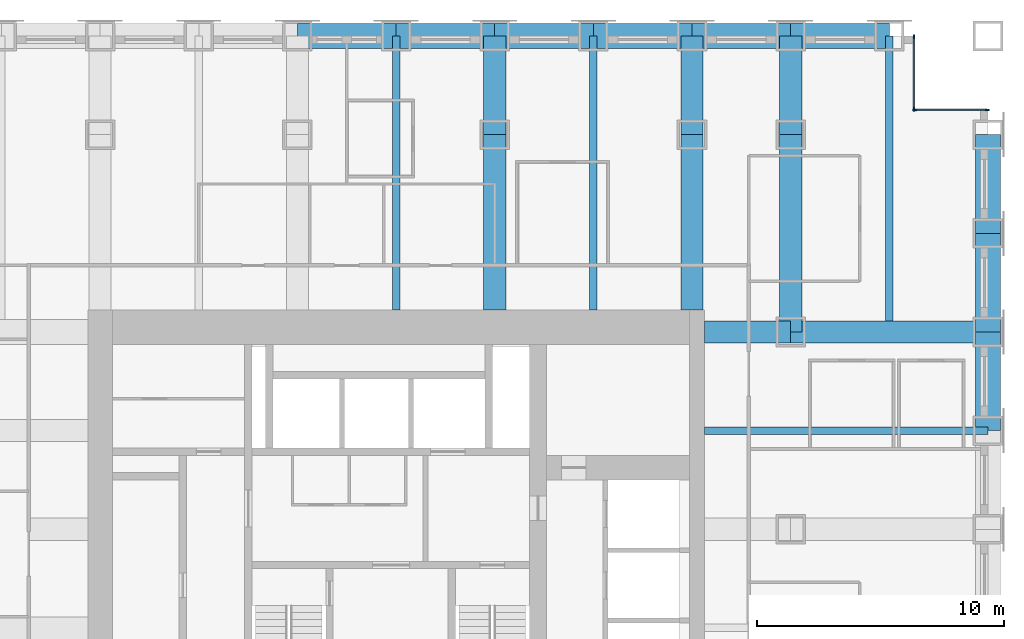
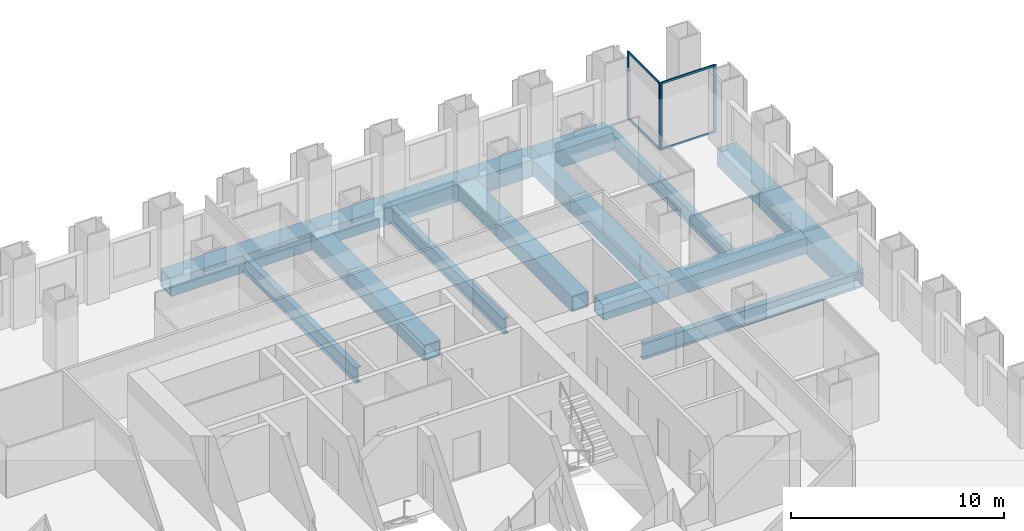
# One storey, part 6 of 14: 21 beams, 8 members, 2 elements without a shape of their own.
"""IFC4 building model written with IfcOpenShell, lengths in metres."""

from ifc_helpers import new_model, si_unit, direction, frame, origin, origin_2d, place, context, subcontext, project, spatial, rectangle, hollow_rectangle, i_section, extrude, material, material_profile, profile_set, type_object, element, aggregate, save


model = new_model("IFC4")

# Units and contexts
model_context = context("Model", 3, precision=1e-05, world=origin(), true_north=direction((0.0, 1.0)))
body_context = subcontext(model_context, "Body", "Model", "MODEL_VIEW")
ifc_project = project(units=[si_unit("LENGTHUNIT", "METRE"), si_unit("AREAUNIT", "SQUARE_METRE"), si_unit("VOLUMEUNIT", "CUBIC_METRE"), si_unit("PLANEANGLEUNIT", "RADIAN"), si_unit("MASSUNIT", "GRAM", prefix="KILO")], contexts=[model_context])

# Site, building, storey
site_placement = place(None, origin())
site = spatial("IfcSite", under=ifc_project, at=site_placement, CompositionType="ELEMENT")
building_placement = place(site_placement, origin())
building = spatial("IfcBuilding", under=site, at=building_placement, Name="Rimbunsela Tower", CompositionType="ELEMENT")
storey_placement = place(building_placement, frame((0.0, 0.0, 55.0)))
storey = spatial("IfcBuildingStorey", under=building, at=storey_placement, Name="L13", CompositionType="ELEMENT", Elevation=55.0)

# Beams
ifc_material_1 = material(Name="Steel BJ 55 (fy 410 MPa)", Category="steel")
ifc_material_profile_1 = material_profile(ifc_material_1, hollow_rectangle(XDim=1.0, YDim=1.0, WallThickness=0.10009765625, at=origin_2d()), Name="BOX 1000x1000x100")
ifc_profile_set_1 = profile_set([ifc_material_profile_1], Name="Steel BJ 55 (fy 410 MPa)")
beam_type_1 = type_object("IfcBeamType", Name="Beam BOX 1000x1000x100", PredefinedType="BEAM", material=ifc_profile_set_1)
for number, where, z_axis, x_axis, name in (
    (1, (26.0, 48.0, -0.64990234375), (1.0, 0.0, 0.0), (0.0, 1.0, 0.0), "Beam B3 L13"),
    (2, (30.0, 48.0, -0.64990234375), (1.0, 0.0, 0.0), (0.0, 1.0, 0.0), "Beam B3 L13"),
    (3, (34.0, 48.0, -0.64990234375), (1.0, 0.0, 0.0), (0.0, 1.0, 0.0), "Beam B3 L13"),
    (4, (38.0, 48.0, -0.64990234375), (1.0, 0.0, 0.0), (0.0, 1.0, 0.0), "Beam B3 L13"),
    (5, (42.0, 48.0, -0.64990234375), (1.0, 0.0, 0.0), (0.0, 1.0, 0.0), "Beam B3 L13"),
    (6, (46.0, 48.0, -0.64990234375), (1.0, 0.0, 0.0), (0.0, 1.0, 0.0), "Beam B3 L13"),
    (7, (54.0, 32.0, -0.64990234375), (0.0, 1.0, 0.0), (-1.0, 0.0, 0.0), "Beam B3 L13"),
    (8, (54.0, 36.0, -0.64990234375), (0.0, 1.0, 0.0), (-1.0, 0.0, 0.0), "Beam B3 L13"),
    (9, (54.0, 40.0, -0.64990234375), (0.0, 1.0, 0.0), (-1.0, 0.0, 0.0), "Beam B3 L13"),
):
    element("IfcBeam", number, at=place(storey_placement, frame(where, z_axis=z_axis, x_axis=x_axis)), inside=storey, type_object=beam_type_1, Name=name, PredefinedType="BEAM", context=body_context, shape_type="SweptSolid", body=[
        extrude(hollow_rectangle(XDim=1.0, YDim=1.0, WallThickness=0.10009765625, at=origin_2d()), origin(), (0.0, 0.0, 1.0), 4.0),
    ])
ifc_material_2 = material(Name="Steel BJ 55 (fy 410 MPa)", Category="steel")
ifc_material_profile_2 = material_profile(ifc_material_2, hollow_rectangle(XDim=0.89990234375, YDim=0.89990234375, WallThickness=0.06005859375, at=origin_2d()), Name="BOX 900x900x60")
ifc_profile_set_2 = profile_set([ifc_material_profile_2], Name="Steel BJ 55 (fy 410 MPa)")
beam_type_2 = type_object("IfcBeamType", Name="Beam BOX 900x900x60", PredefinedType="BEAM", material=ifc_profile_set_2)
beam_1_placement = place(storey_placement, frame((34.0, 36.89990234375, -0.60009765625), z_axis=(0.0, 1.0, 0.0), x_axis=(-1.0, 0.0, 0.0)))
element("IfcBeam", 10, at=beam_1_placement, inside=storey, type_object=beam_type_2, Name="Beam B1 L13", PredefinedType="BEAM", context=body_context, shape_type="SweptSolid", body=[
    extrude(hollow_rectangle(XDim=0.89990234375, YDim=0.89990234375, WallThickness=0.06005859375, at=origin_2d()), origin(), (0.0, 0.0, 1.0), 7.10009765625),
])
beam_2_placement = place(storey_placement, frame((34.0, 44.0, -0.60009765625), z_axis=(0.0, 1.0, 0.0), x_axis=(-1.0, 0.0, 0.0)))
element("IfcBeam", 11, at=beam_2_placement, inside=storey, type_object=beam_type_2, Name="Beam B1 L13", PredefinedType="BEAM", context=body_context, shape_type="SweptSolid", body=[
    extrude(hollow_rectangle(XDim=0.89990234375, YDim=0.89990234375, WallThickness=0.06005859375, at=origin_2d()), origin(), (0.0, 0.0, 1.0), 4.0),
])
beam_3_placement = place(storey_placement, frame((42.0, 36.89990234375, -0.60009765625), z_axis=(0.0, 1.0, 0.0), x_axis=(-1.0, 0.0, 0.0)))
element("IfcBeam", 12, at=beam_3_placement, inside=storey, type_object=beam_type_2, Name="Beam B1 L13", PredefinedType="BEAM", context=body_context, shape_type="SweptSolid", body=[
    extrude(hollow_rectangle(XDim=0.89990234375, YDim=0.89990234375, WallThickness=0.06005859375, at=origin_2d()), origin(), (0.0, 0.0, 1.0), 7.10009765625),
])
beam_4_placement = place(storey_placement, frame((42.0, 44.0, -0.60009765625), z_axis=(0.0, 1.0, 0.0), x_axis=(-1.0, 0.0, 0.0)))
element("IfcBeam", 13, at=beam_4_placement, inside=storey, type_object=beam_type_2, Name="Beam B1 L13", PredefinedType="BEAM", context=body_context, shape_type="SweptSolid", body=[
    extrude(hollow_rectangle(XDim=0.89990234375, YDim=0.89990234375, WallThickness=0.06005859375, at=origin_2d()), origin(), (0.0, 0.0, 1.0), 4.0),
])
beam_5_placement = place(storey_placement, frame((42.5, 36.0, -0.60009765625), z_axis=(1.0, 0.0, 0.0), x_axis=(0.0, 1.0, 0.0)))
element("IfcBeam", 14, at=beam_5_placement, inside=storey, type_object=beam_type_2, Name="Beam B1 L13", PredefinedType="BEAM", context=body_context, shape_type="SweptSolid", body=[
    extrude(hollow_rectangle(XDim=0.89990234375, YDim=0.89990234375, WallThickness=0.06005859375, at=origin_2d()), origin(), (0.0, 0.0, 1.0), 3.5),
])
for number, where, z_axis, x_axis, name in (
    (15, (46.0, 36.0, -0.60009765625), (0.0, 1.0, 0.0), (-1.0, 0.0, 0.0), "Beam B1 L13"),
    (16, (46.0, 36.0, -0.60009765625), (1.0, 0.0, 0.0), (0.0, 1.0, 0.0), "Beam B1 L13"),
):
    element("IfcBeam", number, at=place(storey_placement, frame(where, z_axis=z_axis, x_axis=x_axis)), inside=storey, type_object=beam_type_2, Name=name, PredefinedType="BEAM", context=body_context, shape_type="SweptSolid", body=[
        extrude(hollow_rectangle(XDim=0.89990234375, YDim=0.89990234375, WallThickness=0.06005859375, at=origin_2d()), origin(), (0.0, 0.0, 1.0), 8.0),
    ])
beam_6_placement = place(storey_placement, frame((46.0, 44.0, -0.60009765625), z_axis=(0.0, 1.0, 0.0), x_axis=(-1.0, 0.0, 0.0)))
element("IfcBeam", 17, at=beam_6_placement, inside=storey, type_object=beam_type_2, Name="Beam B1 L13", PredefinedType="BEAM", context=body_context, shape_type="SweptSolid", body=[
    extrude(hollow_rectangle(XDim=0.89990234375, YDim=0.89990234375, WallThickness=0.06005859375, at=origin_2d()), origin(), (0.0, 0.0, 1.0), 4.0),
])
ifc_material_3 = material(Name="Steel BJ 55 (fy 410 MPa)", Category="steel")
ifc_material_profile_3 = material_profile(ifc_material_3, i_section(OverallWidth=0.300048828125, OverallDepth=0.89990234375, WebThickness=0.01611328125, FlangeThickness=0.028076171875, FilletRadius=0.028076171875, at=origin_2d()), Name="H 900x300x16x28")
ifc_profile_set_3 = profile_set([ifc_material_profile_3], Name="Steel BJ 55 (fy 410 MPa)")
beam_type_3 = type_object("IfcBeamType", Name="Beam H 900x300x16x28", PredefinedType="BEAM", material=ifc_profile_set_3)
for number, where, z_axis, x_axis, name in (
    (18, (30.0, 36.89990234375, -0.60009765625), (0.0, 1.0, 0.0), (-1.0, 0.0, 0.0), "Beam B2 L13"),
    (19, (38.0, 36.89990234375, -0.60009765625), (0.0, 1.0, 0.0), (-1.0, 0.0, 0.0), "Beam B2 L13"),
):
    element("IfcBeam", number, at=place(storey_placement, frame(where, z_axis=z_axis, x_axis=x_axis)), inside=storey, type_object=beam_type_3, Name=name, PredefinedType="BEAM", context=body_context, shape_type="SweptSolid", body=[
        extrude(i_section(OverallWidth=0.300048828125, OverallDepth=0.89990234375, WebThickness=0.01611328125, FlangeThickness=0.028076171875, FilletRadius=0.028076171875, at=origin_2d()), origin(), (0.0, 0.0, 1.0), 11.10009765625),
    ])
beam_7_placement = place(storey_placement, frame((42.5, 32.0, -0.60009765625), z_axis=(1.0, 0.0, 0.0), x_axis=(0.0, 1.0, 0.0)))
element("IfcBeam", 20, at=beam_7_placement, inside=storey, type_object=beam_type_3, Name="Beam B2 L13", PredefinedType="BEAM", context=body_context, shape_type="SweptSolid", body=[
    extrude(i_section(OverallWidth=0.300048828125, OverallDepth=0.89990234375, WebThickness=0.01611328125, FlangeThickness=0.028076171875, FilletRadius=0.028076171875, at=origin_2d()), origin(), (0.0, 0.0, 1.0), 11.5),
])
beam_8_placement = place(storey_placement, frame((50.0, 36.449951171875, -0.60009765625), z_axis=(0.0, 1.0, 0.0), x_axis=(-1.0, 0.0, 0.0)))
element("IfcBeam", 21, at=beam_8_placement, inside=storey, type_object=beam_type_3, Name="Beam B2 L13", PredefinedType="BEAM", context=body_context, shape_type="SweptSolid", body=[
    extrude(i_section(OverallWidth=0.300048828125, OverallDepth=0.89990234375, WebThickness=0.01611328125, FlangeThickness=0.028076171875, FilletRadius=0.028076171875, at=origin_2d()), origin(), (0.0, 0.0, 1.0), 11.550048828125),
])

# Curtain wall, members
ifc_material_4 = material(Name="Aluminium curtain wall", Category="aluminium")
curtain_wall_type = type_object("IfcCurtainWallType", Name="Corner glazing", PredefinedType="USERDEFINED", material=ifc_material_4)
curtain_wall_1_placement = place(storey_placement, origin())
curtain_wall_1 = element("IfcCurtainWall", 22, at=curtain_wall_1_placement, inside=storey, type_object=curtain_wall_type, Name="Corner glazing L13", ObjectType="CORNER GLAZING", PredefinedType="USERDEFINED")
ifc_material_5 = material(Name="Aluminium mullion", Category="aluminium")
ifc_material_profile_4 = material_profile(ifc_material_5, rectangle(XDim=0.06005859375, YDim=0.159912109375, at=origin_2d()), Name="Mullion 60x160")
ifc_profile_set_4 = profile_set([ifc_material_profile_4], Name="Aluminium mullion")
member_type_1 = type_object("IfcMemberType", Name="Curtain wall mullion 60x160", PredefinedType="MULLION", material=ifc_profile_set_4)
member_1_placement = place(storey_placement, frame((53.969970703125, 45.0, 0.0), z_axis=(0.0, 0.0, 1.0), x_axis=(0.0, -1.0, 0.0)))
member_1 = element("IfcMember", 23, at=member_1_placement, type_object=member_type_1, Name="CW5 mullion 1", PredefinedType="MULLION", context=body_context, shape_type="SweptSolid", body=[
    extrude(rectangle(XDim=0.06005859375, YDim=0.159912109375, at=origin_2d()), origin(), (0.0, 0.0, 1.0), 3.85009765625),
])
member_2_placement = place(storey_placement, frame((51.030029296875, 45.0, 0.0), z_axis=(0.0, 0.0, 1.0), x_axis=(0.0, -1.0, 0.0)))
member_2 = element("IfcMember", 24, at=member_2_placement, type_object=member_type_1, Name="CW5 mullion 2", PredefinedType="MULLION", context=body_context, shape_type="SweptSolid", body=[
    extrude(rectangle(XDim=0.06005859375, YDim=0.159912109375, at=origin_2d()), origin(), (0.0, 0.0, 1.0), 3.85009765625),
])

curtain_wall_2_placement = place(storey_placement, origin())
curtain_wall_2 = element("IfcCurtainWall", 25, at=curtain_wall_2_placement, inside=storey, type_object=curtain_wall_type, Name="Corner glazing L13", ObjectType="CORNER GLAZING", PredefinedType="USERDEFINED")
member_3_placement = place(storey_placement, frame((51.0, 45.030029296875, 0.0), z_axis=(0.0, 0.0, 1.0), x_axis=(-1.0, 0.0, 0.0)))
member_3 = element("IfcMember", 26, at=member_3_placement, type_object=member_type_1, Name="CW5 mullion 1", PredefinedType="MULLION", context=body_context, shape_type="SweptSolid", body=[
    extrude(rectangle(XDim=0.06005859375, YDim=0.159912109375, at=origin_2d()), origin(), (0.0, 0.0, 1.0), 3.85009765625),
])
member_4_placement = place(storey_placement, frame((51.0, 47.969970703125, 0.0), z_axis=(0.0, 0.0, 1.0), x_axis=(-1.0, 0.0, 0.0)))
member_4 = element("IfcMember", 27, at=member_4_placement, type_object=member_type_1, Name="CW5 mullion 2", PredefinedType="MULLION", context=body_context, shape_type="SweptSolid", body=[
    extrude(rectangle(XDim=0.06005859375, YDim=0.159912109375, at=origin_2d()), origin(), (0.0, 0.0, 1.0), 3.85009765625),
])

# Member
ifc_material_6 = material(Name="Aluminium transom", Category="aluminium")
ifc_material_profile_5 = material_profile(ifc_material_6, rectangle(XDim=0.06005859375, YDim=0.1201171875, at=origin_2d()), Name="Transom 60x120")
ifc_profile_set_5 = profile_set([ifc_material_profile_5], Name="Aluminium transom")
member_type_2 = type_object("IfcMemberType", Name="Curtain wall transom 60x120", PredefinedType="USERDEFINED", material=ifc_profile_set_5)
member_5_placement = place(storey_placement, frame((53.93994140625, 45.0, 0.030029296875), z_axis=(-1.0, 0.0, 0.0), x_axis=(0.0, -1.0, 0.0)))
member_5 = element("IfcMember", 28, at=member_5_placement, type_object=member_type_2, Name="CW5 transom 1.1", ObjectType="TRANSOM", PredefinedType="USERDEFINED", context=body_context, shape_type="SweptSolid", body=[
    extrude(rectangle(XDim=0.06005859375, YDim=0.1201171875, at=origin_2d()), origin(), (0.0, 0.0, 1.0), 2.8798828125),
])

member_6_placement = place(storey_placement, frame((53.93994140625, 45.0, 3.820068359375), z_axis=(-1.0, 0.0, 0.0), x_axis=(0.0, -1.0, 0.0)))
member_6 = element("IfcMember", 29, at=member_6_placement, type_object=member_type_2, Name="CW5 transom 1.2", ObjectType="TRANSOM", PredefinedType="USERDEFINED", context=body_context, shape_type="SweptSolid", body=[
    extrude(rectangle(XDim=0.06005859375, YDim=0.1201171875, at=origin_2d()), origin(), (0.0, 0.0, 1.0), 2.8798828125),
])

aggregate(curtain_wall_1, [member_1, member_2, member_5, member_6])

member_7_placement = place(storey_placement, frame((51.0, 45.06005859375, 0.030029296875), z_axis=(0.0, 1.0, 0.0), x_axis=(-1.0, 0.0, 0.0)))
member_7 = element("IfcMember", 30, at=member_7_placement, type_object=member_type_2, Name="CW5 transom 1.1", ObjectType="TRANSOM", PredefinedType="USERDEFINED", context=body_context, shape_type="SweptSolid", body=[
    extrude(rectangle(XDim=0.06005859375, YDim=0.1201171875, at=origin_2d()), origin(), (0.0, 0.0, 1.0), 2.8798828125),
])

member_8_placement = place(storey_placement, frame((51.0, 45.06005859375, 3.820068359375), z_axis=(0.0, 1.0, 0.0), x_axis=(-1.0, 0.0, 0.0)))
member_8 = element("IfcMember", 31, at=member_8_placement, type_object=member_type_2, Name="CW5 transom 1.2", ObjectType="TRANSOM", PredefinedType="USERDEFINED", context=body_context, shape_type="SweptSolid", body=[
    extrude(rectangle(XDim=0.06005859375, YDim=0.1201171875, at=origin_2d()), origin(), (0.0, 0.0, 1.0), 2.8798828125),
])

aggregate(curtain_wall_2, [member_3, member_4, member_7, member_8])

save(model, "model.ifc")
